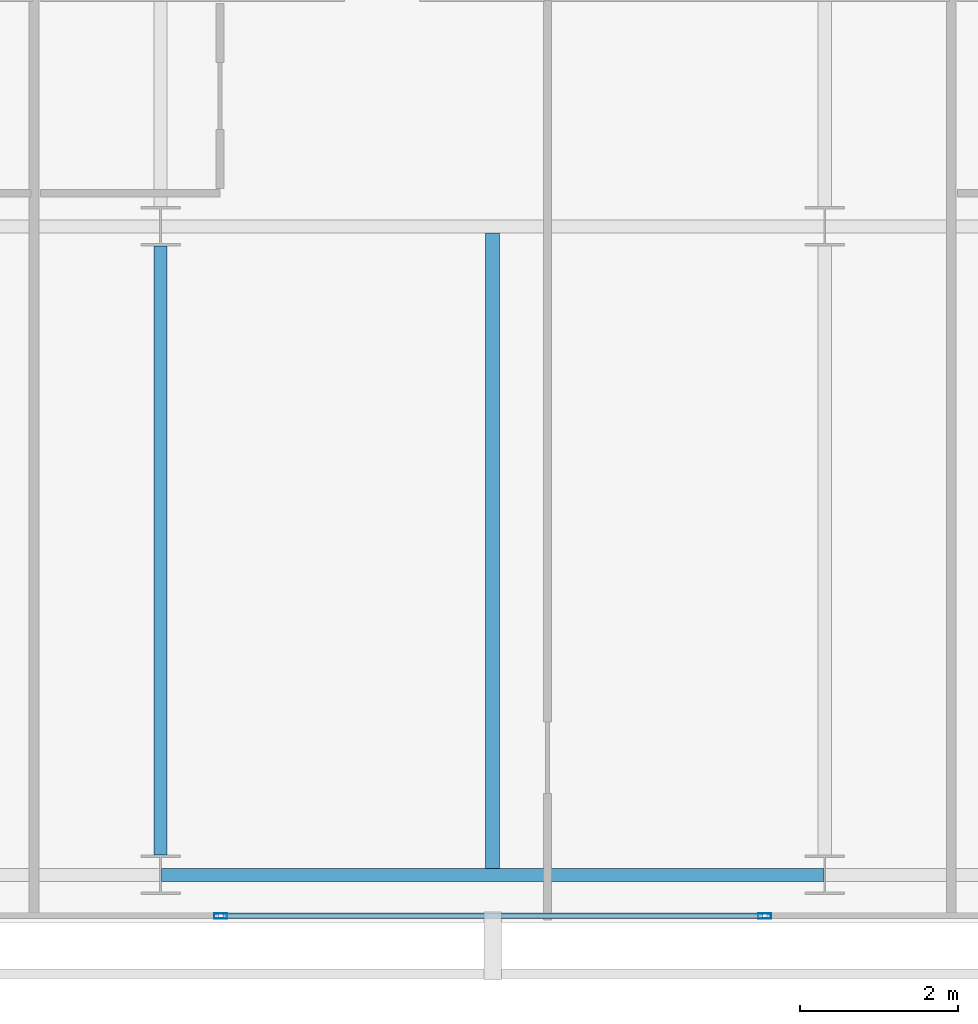
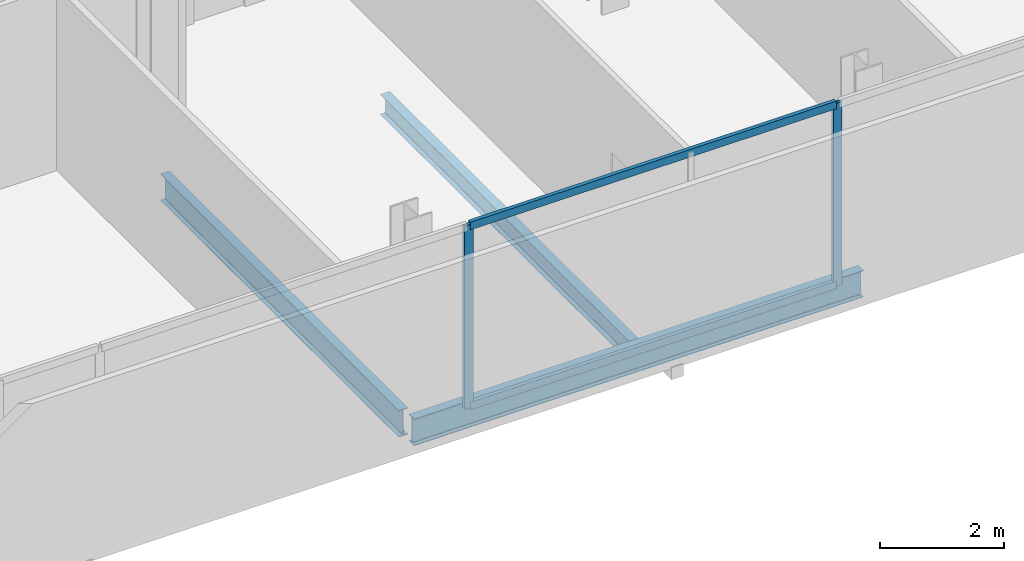
# One storey, part 6 of 25: 4 members, 3 beams, 1 element without a shape of its own.
"""IFC4 building model written with IfcOpenShell, lengths in metres."""

from ifc_helpers import new_model, si_unit, direction, frame, origin, origin_2d, place, context, subcontext, project, spatial, hollow_rectangle, i_section, extrude, material, layer, layer_set, material_profile, profile_set, type_object, element, aggregate, save


model = new_model("IFC4")

# Units and contexts
model_context = context("Model", 3, precision=1e-05, world=origin(), true_north=direction((0.0, 1.0)))
body_context = subcontext(model_context, "Body", "Model", "MODEL_VIEW")
ifc_project = project(units=[si_unit("LENGTHUNIT", "METRE"), si_unit("AREAUNIT", "SQUARE_METRE"), si_unit("VOLUMEUNIT", "CUBIC_METRE"), si_unit("PLANEANGLEUNIT", "RADIAN"), si_unit("MASSUNIT", "GRAM", prefix="KILO")], contexts=[model_context])

# Site, building, storey
site_placement = place(None, origin())
site = spatial("IfcSite", under=ifc_project, at=site_placement, CompositionType="ELEMENT")
building_placement = place(site_placement, origin())
building = spatial("IfcBuilding", under=site, at=building_placement, Name="Maruvema Waterfront Hotel and Observation Tower", CompositionType="ELEMENT")
storey_placement = place(building_placement, frame((0.0, 0.0, 304.85009765625)))
storey = spatial("IfcBuildingStorey", under=building, at=storey_placement, Name="L75", CompositionType="ELEMENT", Elevation=304.85009765625)

# Curtain wall, members
ifc_material_1 = material(Name="Anodised bronze aluminium and solar-control low-E IGU", Category="aluminium")
ifc_layer = layer(ifc_material_1, 0.159912109375, Name="Zone 3 Champagne Inner Thermal Curtain Wall System CW-04")
ifc_layer_set = layer_set([ifc_layer], Name="Anodised bronze aluminium and solar-control low-E IGU")
curtain_wall_type = type_object("IfcCurtainWallType", Name="Zone 3 Champagne Inner Thermal Curtain Wall System CW-04", PredefinedType="USERDEFINED", material=ifc_layer_set)
curtain_wall_placement = place(storey_placement, origin())
curtain_wall = element("IfcCurtainWall", 1, at=curtain_wall_placement, inside=storey, type_object=curtain_wall_type, Name="L75 Curtain Wall CW-L75-S", ObjectType="UNITISED CURTAIN WALL", PredefinedType="USERDEFINED")
ifc_material_2 = material(Name="Anodised architectural bronze aluminium", Category="aluminium")
ifc_material_profile_1 = material_profile(ifc_material_2, hollow_rectangle(XDim=0.070068359375, YDim=0.14990234375, WallThickness=0.00390625, at=origin_2d()), Name="ALU-T70x150")
ifc_profile_set_1 = profile_set([ifc_material_profile_1], Name="Anodised architectural bronze aluminium")
member_type_1 = type_object("IfcMemberType", Name="Curtain Wall Horizontal Transom ALU-T70x150", PredefinedType="USERDEFINED", material=ifc_profile_set_1)
member_1_placement = place(storey_placement, frame((34.389892578125, 9.280029296875, 0.02978515625), z_axis=(1.0, 0.0, 0.0), x_axis=(0.0, 1.0, 0.0)))
member_1 = element("IfcMember", 2, at=member_1_placement, type_object=member_type_1, Name="CW-04 transom 3.1", ObjectType="TRANSOM", PredefinedType="USERDEFINED", context=body_context, shape_type="SweptSolid", body=[
    extrude(hollow_rectangle(XDim=0.070068359375, YDim=0.14990234375, WallThickness=0.00390625, at=origin_2d()), origin(), (0.0, 0.0, 1.0), 6.820068359375),
])
member_2_placement = place(storey_placement, frame((34.389892578125, 9.280029296875, 3.579833984375), z_axis=(1.0, 0.0, 0.0), x_axis=(0.0, 1.0, 0.0)))
member_2 = element("IfcMember", 3, at=member_2_placement, type_object=member_type_1, Name="CW-04 transom 3.2", ObjectType="TRANSOM", PredefinedType="USERDEFINED", context=body_context, shape_type="SweptSolid", body=[
    extrude(hollow_rectangle(XDim=0.070068359375, YDim=0.14990234375, WallThickness=0.00390625, at=origin_2d()), origin(), (0.0, 0.0, 1.0), 6.820068359375),
])
ifc_material_3 = material(Name="Anodised architectural bronze aluminium", Category="aluminium")
ifc_material_profile_2 = material_profile(ifc_material_3, hollow_rectangle(XDim=0.06494140625, YDim=0.1650390625, WallThickness=0.00390625, at=origin_2d()), Name="ALU-M65x165")
ifc_profile_set_2 = profile_set([ifc_material_profile_2], Name="Anodised architectural bronze aluminium")
member_type_2 = type_object("IfcMemberType", Name="Curtain Wall Primary Mullion ALU-M65x165", PredefinedType="MULLION", material=ifc_profile_set_2)
member_3_placement = place(storey_placement, frame((34.360107421875, 9.280029296875, 0.0), z_axis=(0.0, 0.0, 1.0), x_axis=(0.0, 1.0, 0.0)))
member_3 = element("IfcMember", 4, at=member_3_placement, type_object=member_type_2, Name="CW-04 mullion 3", PredefinedType="MULLION", context=body_context, shape_type="SweptSolid", body=[
    extrude(hollow_rectangle(XDim=0.06494140625, YDim=0.1650390625, WallThickness=0.00390625, at=origin_2d()), origin(), (0.0, 0.0, 1.0), 3.60986328125),
])
member_4_placement = place(storey_placement, frame((41.239990234375, 9.280029296875, 0.0), z_axis=(0.0, 0.0, 1.0), x_axis=(0.0, 1.0, 0.0)))
member_4 = element("IfcMember", 5, at=member_4_placement, type_object=member_type_2, Name="CW-04 mullion 4", PredefinedType="MULLION", context=body_context, shape_type="SweptSolid", body=[
    extrude(hollow_rectangle(XDim=0.06494140625, YDim=0.1650390625, WallThickness=0.00390625, at=origin_2d()), origin(), (0.0, 0.0, 1.0), 3.60986328125),
])
aggregate(curtain_wall, [member_3, member_4, member_1, member_2])

# Beams
ifc_material_4 = material(Name="Steel ASTM A572 Grade 50", Category="steel")
ifc_material_profile_3 = material_profile(ifc_material_4, i_section(OverallWidth=0.166015625, OverallDepth=0.529052734375, WebThickness=0.009765625, FlangeThickness=0.013671875, FilletRadius=0.014892578125, at=origin_2d()), Name="W530x74.0")
ifc_profile_set_3 = profile_set([ifc_material_profile_3], Name="Steel ASTM A572 Grade 50")
beam_type_1 = type_object("IfcBeamType", Name="Primary Floor Girder W530x74.0", PredefinedType="BEAM", material=ifc_profile_set_3)
beam_1_placement = place(storey_placement, frame((33.611083984375, 9.800048828125, -0.504638671875), z_axis=(1.0, 0.0, 0.0), x_axis=(0.0, 1.0, 0.0)))
element("IfcBeam", 6, at=beam_1_placement, inside=storey, type_object=beam_type_1, Name="L75 Floor Girder EW-02", PredefinedType="BEAM", context=body_context, shape_type="SweptSolid", body=[
    extrude(i_section(OverallWidth=0.166015625, OverallDepth=0.529052734375, WebThickness=0.009765625, FlangeThickness=0.013671875, FilletRadius=0.014892578125, at=origin_2d()), origin(), (0.0, 0.0, 1.0), 8.3779296875),
])
beam_2_placement = place(storey_placement, frame((33.60009765625, 10.050048828125, -0.504638671875), z_axis=(0.0, 1.0, 0.0), x_axis=(-1.0, 0.0, 0.0)))
element("IfcBeam", 7, at=beam_2_placement, inside=storey, type_object=beam_type_1, Name="L75 Floor Girder NS-08", PredefinedType="BEAM", context=body_context, shape_type="SweptSolid", body=[
    extrude(i_section(OverallWidth=0.166015625, OverallDepth=0.529052734375, WebThickness=0.009765625, FlangeThickness=0.013671875, FilletRadius=0.014892578125, at=origin_2d()), origin(), (0.0, 0.0, 1.0), 7.699951171875),
])
ifc_material_5 = material(Name="Steel ASTM A572 Grade 50", Category="steel")
ifc_material_profile_4 = material_profile(ifc_material_5, i_section(OverallWidth=0.177001953125, OverallDepth=0.403076171875, WebThickness=0.007568359375, FlangeThickness=0.010986328125, FilletRadius=0.014892578125, at=origin_2d()), Name="W410x53.0")
ifc_profile_set_4 = profile_set([ifc_material_profile_4], Name="Steel ASTM A572 Grade 50")
beam_type_2 = type_object("IfcBeamType", Name="Secondary Floor Joist W410x53.0", PredefinedType="JOIST", material=ifc_profile_set_4)
beam_3_placement = place(storey_placement, frame((37.800048828125, 9.883056640625, -0.441650390625), z_axis=(0.0, 1.0, 0.0), x_axis=(-1.0, 0.0, 0.0)))
element("IfcBeam", 8, at=beam_3_placement, inside=storey, type_object=beam_type_2, Name="L75 Secondary Floor Joist JS-05", PredefinedType="JOIST", context=body_context, shape_type="SweptSolid", body=[
    extrude(i_section(OverallWidth=0.177001953125, OverallDepth=0.403076171875, WebThickness=0.007568359375, FlangeThickness=0.010986328125, FilletRadius=0.014892578125, at=origin_2d()), origin(), (0.0, 0.0, 1.0), 8.033935546875),
])

save(model, "model.ifc")
